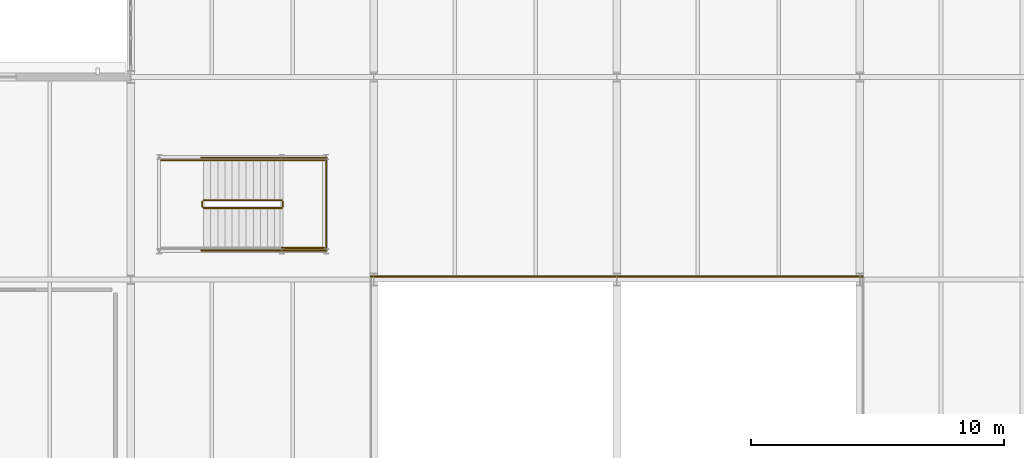
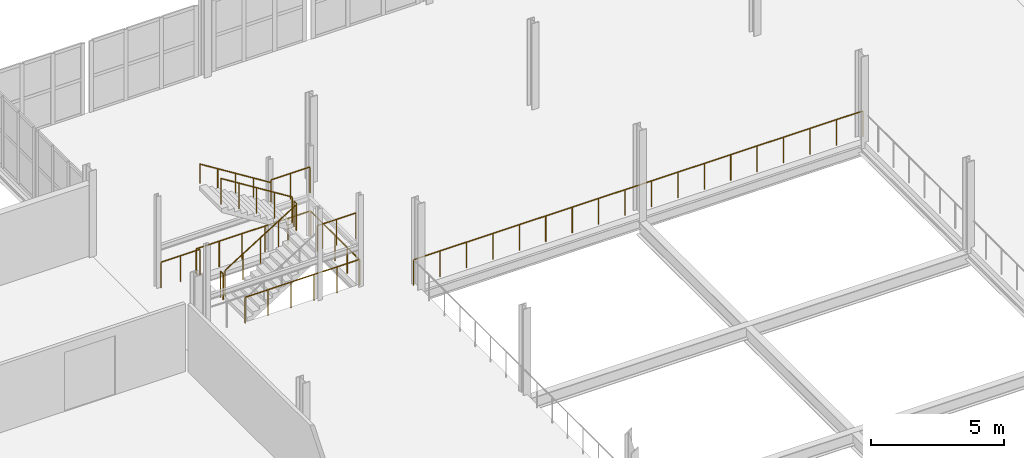
# One storey, part 74 of 78: 12 railings.
"""IFC4 building model written with IfcOpenShell, lengths in metres."""

from ifc_helpers import new_model, si_unit, direction, frame, origin, origin_2d, place, context, subcontext, project, spatial, circle, extrude, material, type_object, element, save


model = new_model("IFC4")

# Units and contexts
model_context = context("Model", 3, precision=1e-05, world=origin(), true_north=direction((0.0, 1.0)))
body_context = subcontext(model_context, "Body", "Model", "MODEL_VIEW")
ifc_project = project(units=[si_unit("LENGTHUNIT", "METRE"), si_unit("AREAUNIT", "SQUARE_METRE"), si_unit("VOLUMEUNIT", "CUBIC_METRE"), si_unit("PLANEANGLEUNIT", "RADIAN"), si_unit("MASSUNIT", "GRAM", prefix="KILO")], contexts=[model_context])

# Site, building, storey
site_placement = place(None, origin())
site = spatial("IfcSite", under=ifc_project, at=site_placement, CompositionType="ELEMENT")
building_placement = place(site_placement, origin())
building = spatial("IfcBuilding", under=site, at=building_placement, Name="Alderhovde Museum", CompositionType="ELEMENT")
storey_placement = place(building_placement, frame((0.0, 0.0, 4.5)))
storey = spatial("IfcBuildingStorey", under=building, at=storey_placement, Name="L01", CompositionType="ELEMENT", Elevation=4.5)

# Railings
ifc_material_1 = material(Name="Painted Steel S355 Guardrail", Category="steel")
railing_type_1 = type_object("IfcRailingType", Name="RL-GUARD-1200", PredefinedType="GUARDRAIL", material=ifc_material_1)
railing_1_placement = place(storey_placement, frame((79.679931640625, 74.830078125, 0.175048828125)))
element("IfcRailing", 1, at=railing_1_placement, inside=storey, type_object=railing_type_1, Name="L01 ST5 stair guard 1", PredefinedType="GUARDRAIL", context=body_context, shape_type="SweptSolid", body=[
    extrude(circle(Radius=0.02392578125, at=origin_2d()), frame((0.0, 0.0, 1.17578125), z_axis=(0.847998304005, 0.0, 0.529998940003), x_axis=(0.0, 1.0, 0.0)), (0.0, 0.0, 1.0), 3.632080078125),
    extrude(circle(Radius=0.02099609375, at=origin_2d()), origin(), (0.0, 0.0, 1.0), 1.15185546875),
    extrude(circle(Radius=0.02099609375, at=origin_2d()), frame((0.77001953125, 0.0, 0.481201171875)), (0.0, 0.0, 1.0), 1.15185546875),
    extrude(circle(Radius=0.02099609375, at=origin_2d()), frame((1.5400390625, 0.0, 0.96240234375)), (0.0, 0.0, 1.0), 1.15185546875),
    extrude(circle(Radius=0.02099609375, at=origin_2d()), frame((2.31005859375, 0.0, 1.44384765625)), (0.0, 0.0, 1.0), 1.15185546875),
    extrude(circle(Radius=0.02099609375, at=origin_2d()), frame((3.080078125, 0.0, 1.925048828125)), (0.0, 0.0, 1.0), 1.15185546875),
])
railing_2_placement = place(storey_placement, frame((82.81005859375, 74.8798828125, 2.10009765625)))
element("IfcRailing", 2, at=railing_2_placement, inside=storey, type_object=railing_type_1, Name="L01 ST5 stair guard 2", PredefinedType="GUARDRAIL", context=body_context, shape_type="SweptSolid", body=[
    extrude(circle(Radius=0.02392578125, at=origin_2d()), frame((0.0, 0.0, 1.17578125), z_axis=(0.0, 1.0, 0.0), x_axis=(-1.0, 0.0, 0.0)), (0.0, 0.0, 1.0), 0.2001953125),
    extrude(circle(Radius=0.02099609375, at=origin_2d()), origin(), (0.0, 0.0, 1.0), 1.15185546875),
    extrude(circle(Radius=0.02099609375, at=origin_2d()), frame((0.0, 0.2001953125, 0.0)), (0.0, 0.0, 1.0), 1.15185546875),
])
for number, where, name in (
    (3, (82.760009765625, 73.25, 2.10009765625), "L01 ST5 stair guard 3"),
    (4, (82.760009765625, 76.7099609375, 2.10009765625), "L01 ST5 stair guard 4"),
):
    element("IfcRailing", number, at=place(storey_placement, frame(where)), inside=storey, type_object=railing_type_1, Name=name, PredefinedType="GUARDRAIL", context=body_context, shape_type="SweptSolid", body=[
        extrude(circle(Radius=0.02392578125, at=origin_2d()), frame((0.0, 0.0, 1.17578125), z_axis=(1.0, 0.0, 0.0), x_axis=(0.0, 1.0, 0.0)), (0.0, 0.0, 1.0), 1.679931640625),
        extrude(circle(Radius=0.02099609375, at=origin_2d()), origin(), (0.0, 0.0, 1.0), 1.15185546875),
        extrude(circle(Radius=0.02099609375, at=origin_2d()), frame((0.83984375, 0.0, 0.0)), (0.0, 0.0, 1.0), 1.15185546875),
        extrude(circle(Radius=0.02099609375, at=origin_2d()), frame((1.679931640625, 0.0, 0.0)), (0.0, 0.0, 1.0), 1.15185546875),
    ])
railing_3_placement = place(storey_placement, frame((82.760009765625, 75.1298828125, 2.27490234375)))
element("IfcRailing", 5, at=railing_3_placement, inside=storey, type_object=railing_type_1, Name="L01 ST5 stair guard 5", PredefinedType="GUARDRAIL", context=body_context, shape_type="SweptSolid", body=[
    extrude(circle(Radius=0.02392578125, at=origin_2d()), frame((0.0, 0.0, 1.17578125), z_axis=(-0.847998304005, 0.0, 0.529998940003), x_axis=(0.0, -1.0, 0.0)), (0.0, 0.0, 1.0), 3.632080078125),
    extrude(circle(Radius=0.02099609375, at=origin_2d()), origin(), (0.0, 0.0, 1.0), 1.15185546875),
    extrude(circle(Radius=0.02099609375, at=origin_2d()), frame((-0.77001953125, 0.0, 0.481201171875)), (0.0, 0.0, 1.0), 1.15185546875),
    extrude(circle(Radius=0.02099609375, at=origin_2d()), frame((-1.5400390625, 0.0, 0.96240234375)), (0.0, 0.0, 1.0), 1.15185546875),
    extrude(circle(Radius=0.02099609375, at=origin_2d()), frame((-2.31005859375, 0.0, 1.44384765625)), (0.0, 0.0, 1.0), 1.15185546875),
    extrude(circle(Radius=0.02099609375, at=origin_2d()), frame((-3.080078125, 0.0, 1.925048828125)), (0.0, 0.0, 1.0), 1.15185546875),
])
railing_4_placement = place(storey_placement, frame((79.6298828125, 74.8798828125, 0.0)))
element("IfcRailing", 6, at=railing_4_placement, inside=storey, type_object=railing_type_1, Name="L01 ST5 stair guard 6", PredefinedType="GUARDRAIL", context=body_context, shape_type="SweptSolid", body=[
    extrude(circle(Radius=0.02392578125, at=origin_2d()), frame((0.0, 0.0, 1.17578125), z_axis=(0.0, 1.0, 0.0), x_axis=(-1.0, 0.0, 0.0)), (0.0, 0.0, 1.0), 0.2001953125),
    extrude(circle(Radius=0.02099609375, at=origin_2d()), origin(), (0.0, 0.0, 1.0), 1.15185546875),
    extrude(circle(Radius=0.02099609375, at=origin_2d()), frame((0.0, 0.2001953125, 0.0)), (0.0, 0.0, 1.0), 1.15185546875),
])
railing_5_placement = place(storey_placement, frame((78.0, 76.7099609375, 0.0)))
element("IfcRailing", 7, at=railing_5_placement, inside=storey, type_object=railing_type_1, Name="L01 ST5 stair guard 8", PredefinedType="GUARDRAIL", context=body_context, shape_type="SweptSolid", body=[
    extrude(circle(Radius=0.02392578125, at=origin_2d()), frame((0.0, 0.0, 1.17578125), z_axis=(1.0, 0.0, 0.0), x_axis=(0.0, 1.0, 0.0)), (0.0, 0.0, 1.0), 1.679931640625),
    extrude(circle(Radius=0.02099609375, at=origin_2d()), origin(), (0.0, 0.0, 1.0), 1.15185546875),
    extrude(circle(Radius=0.02099609375, at=origin_2d()), frame((0.83984375, 0.0, 0.0)), (0.0, 0.0, 1.0), 1.15185546875),
    extrude(circle(Radius=0.02099609375, at=origin_2d()), frame((1.679931640625, 0.0, 0.0)), (0.0, 0.0, 1.0), 1.15185546875),
])
for number, where, name in (
    (8, (79.580078125, 73.14990234375, 0.0), "L01 ST5 stair guard 9"),
    (9, (79.580078125, 76.81005859375, 0.0), "L01 ST5 stair guard 10"),
):
    element("IfcRailing", number, at=place(storey_placement, frame(where)), inside=storey, type_object=railing_type_1, Name=name, PredefinedType="GUARDRAIL", context=body_context, shape_type="SweptSolid", body=[
        extrude(circle(Radius=0.02392578125, at=origin_2d()), frame((0.0, 0.0, 1.17578125), z_axis=(1.0, 0.0, 0.0), x_axis=(0.0, 1.0, 0.0)), (0.0, 0.0, 1.0), 4.9599609375),
        extrude(circle(Radius=0.02099609375, at=origin_2d()), origin(), (0.0, 0.0, 1.0), 1.15185546875),
        extrude(circle(Radius=0.02099609375, at=origin_2d()), frame((0.991943359375, 0.0, 0.0)), (0.0, 0.0, 1.0), 1.15185546875),
        extrude(circle(Radius=0.02099609375, at=origin_2d()), frame((1.98388671875, 0.0, 0.0)), (0.0, 0.0, 1.0), 1.15185546875),
        extrude(circle(Radius=0.02099609375, at=origin_2d()), frame((2.97607421875, 0.0, 0.0)), (0.0, 0.0, 1.0), 1.15185546875),
        extrude(circle(Radius=0.02099609375, at=origin_2d()), frame((3.968017578125, 0.0, 0.0)), (0.0, 0.0, 1.0), 1.15185546875),
        extrude(circle(Radius=0.02099609375, at=origin_2d()), frame((4.9599609375, 0.0, 0.0)), (0.0, 0.0, 1.0), 1.15185546875),
    ])
railing_6_placement = place(storey_placement, frame((86.280029296875, 72.1201171875, 0.0)))
element("IfcRailing", 10, at=railing_6_placement, inside=storey, type_object=railing_type_1, Name="L01 Conservatory Void North Guardrail", PredefinedType="GUARDRAIL", context=body_context, shape_type="SweptSolid", body=[
    extrude(circle(Radius=0.02392578125, at=origin_2d()), frame((0.0, 0.0, 1.17578125), z_axis=(1.0, 0.0, 0.0), x_axis=(0.0, 1.0, 0.0)), (0.0, 0.0, 1.0), 19.43994140625),
    extrude(circle(Radius=0.02099609375, at=origin_2d()), origin(), (0.0, 0.0, 1.0), 1.15185546875),
    extrude(circle(Radius=0.02099609375, at=origin_2d()), frame((1.1435546875, 0.0, 0.0)), (0.0, 0.0, 1.0), 1.15185546875),
    extrude(circle(Radius=0.02099609375, at=origin_2d()), frame((2.287109375, 0.0, 0.0)), (0.0, 0.0, 1.0), 1.15185546875),
    extrude(circle(Radius=0.02099609375, at=origin_2d()), frame((3.4306640625, 0.0, 0.0)), (0.0, 0.0, 1.0), 1.15185546875),
    extrude(circle(Radius=0.02099609375, at=origin_2d()), frame((4.57421875, 0.0, 0.0)), (0.0, 0.0, 1.0), 1.15185546875),
    extrude(circle(Radius=0.02099609375, at=origin_2d()), frame((5.717529296875, 0.0, 0.0)), (0.0, 0.0, 1.0), 1.15185546875),
    extrude(circle(Radius=0.02099609375, at=origin_2d()), frame((6.861083984375, 0.0, 0.0)), (0.0, 0.0, 1.0), 1.15185546875),
    extrude(circle(Radius=0.02099609375, at=origin_2d()), frame((8.004638671875, 0.0, 0.0)), (0.0, 0.0, 1.0), 1.15185546875),
    extrude(circle(Radius=0.02099609375, at=origin_2d()), frame((9.148193359375, 0.0, 0.0)), (0.0, 0.0, 1.0), 1.15185546875),
    extrude(circle(Radius=0.02099609375, at=origin_2d()), frame((10.291748046875, 0.0, 0.0)), (0.0, 0.0, 1.0), 1.15185546875),
    extrude(circle(Radius=0.02099609375, at=origin_2d()), frame((11.435302734375, 0.0, 0.0)), (0.0, 0.0, 1.0), 1.15185546875),
    extrude(circle(Radius=0.02099609375, at=origin_2d()), frame((12.578857421875, 0.0, 0.0)), (0.0, 0.0, 1.0), 1.15185546875),
    extrude(circle(Radius=0.02099609375, at=origin_2d()), frame((13.722412109375, 0.0, 0.0)), (0.0, 0.0, 1.0), 1.15185546875),
    extrude(circle(Radius=0.02099609375, at=origin_2d()), frame((14.86572265625, 0.0, 0.0)), (0.0, 0.0, 1.0), 1.15185546875),
    extrude(circle(Radius=0.02099609375, at=origin_2d()), frame((16.00927734375, 0.0, 0.0)), (0.0, 0.0, 1.0), 1.15185546875),
    extrude(circle(Radius=0.02099609375, at=origin_2d()), frame((17.15283203125, 0.0, 0.0)), (0.0, 0.0, 1.0), 1.15185546875),
    extrude(circle(Radius=0.02099609375, at=origin_2d()), frame((18.29638671875, 0.0, 0.0)), (0.0, 0.0, 1.0), 1.15185546875),
    extrude(circle(Radius=0.02099609375, at=origin_2d()), frame((19.43994140625, 0.0, 0.0)), (0.0, 0.0, 1.0), 1.15185546875),
])
railing_7_placement = place(storey_placement, frame((84.52001953125, 73.1201171875, 0.0)))
element("IfcRailing", 11, at=railing_7_placement, inside=storey, type_object=railing_type_1, Name="L01 Conservatory Stair ST5 East Well Guardrail", PredefinedType="GUARDRAIL", context=body_context, shape_type="SweptSolid", body=[
    extrude(circle(Radius=0.02392578125, at=origin_2d()), frame((0.0, 0.0, 1.17578125), z_axis=(0.0, 1.0, 0.0), x_axis=(-1.0, 0.0, 0.0)), (0.0, 0.0, 1.0), 3.719970703125),
    extrude(circle(Radius=0.02099609375, at=origin_2d()), origin(), (0.0, 0.0, 1.0), 1.15185546875),
    extrude(circle(Radius=0.02099609375, at=origin_2d()), frame((0.0, 0.929931640625, 0.0)), (0.0, 0.0, 1.0), 1.15185546875),
    extrude(circle(Radius=0.02099609375, at=origin_2d()), frame((0.0, 1.85986328125, 0.0)), (0.0, 0.0, 1.0), 1.15185546875),
    extrude(circle(Radius=0.02099609375, at=origin_2d()), frame((0.0, 2.7900390625, 0.0)), (0.0, 0.0, 1.0), 1.15185546875),
    extrude(circle(Radius=0.02099609375, at=origin_2d()), frame((0.0, 3.719970703125, 0.0)), (0.0, 0.0, 1.0), 1.15185546875),
])
ifc_material_2 = material(Name="Brushed Stainless Steel Handrail", Category="steel")
railing_type_2 = type_object("IfcRailingType", Name="RL-HANDRAIL-900", PredefinedType="HANDRAIL", material=ifc_material_2)
railing_8_placement = place(storey_placement, frame((82.760009765625, 76.7099609375, 2.27490234375)))
element("IfcRailing", 12, at=railing_8_placement, inside=storey, type_object=railing_type_2, Name="L01 ST5 stair handrail 2", PredefinedType="HANDRAIL", context=body_context, shape_type="SweptSolid", body=[
    extrude(circle(Radius=0.02392578125, at=origin_2d()), frame((0.0, 0.0, 0.8759765625), z_axis=(-0.847998304005, 0.0, 0.529998940003), x_axis=(0.0, -1.0, 0.0)), (0.0, 0.0, 1.0), 3.632080078125),
    extrude(circle(Radius=0.02099609375, at=origin_2d()), origin(), (0.0, 0.0, 1.0), 0.851806640625),
    extrude(circle(Radius=0.02099609375, at=origin_2d()), frame((-0.77001953125, 0.0, 0.481201171875)), (0.0, 0.0, 1.0), 0.851806640625),
    extrude(circle(Radius=0.02099609375, at=origin_2d()), frame((-1.5400390625, 0.0, 0.96240234375)), (0.0, 0.0, 1.0), 0.851806640625),
    extrude(circle(Radius=0.02099609375, at=origin_2d()), frame((-2.31005859375, 0.0, 1.44384765625)), (0.0, 0.0, 1.0), 0.851806640625),
    extrude(circle(Radius=0.02099609375, at=origin_2d()), frame((-3.080078125, 0.0, 1.925048828125)), (0.0, 0.0, 1.0), 0.851806640625),
])

save(model, "model.ifc")
